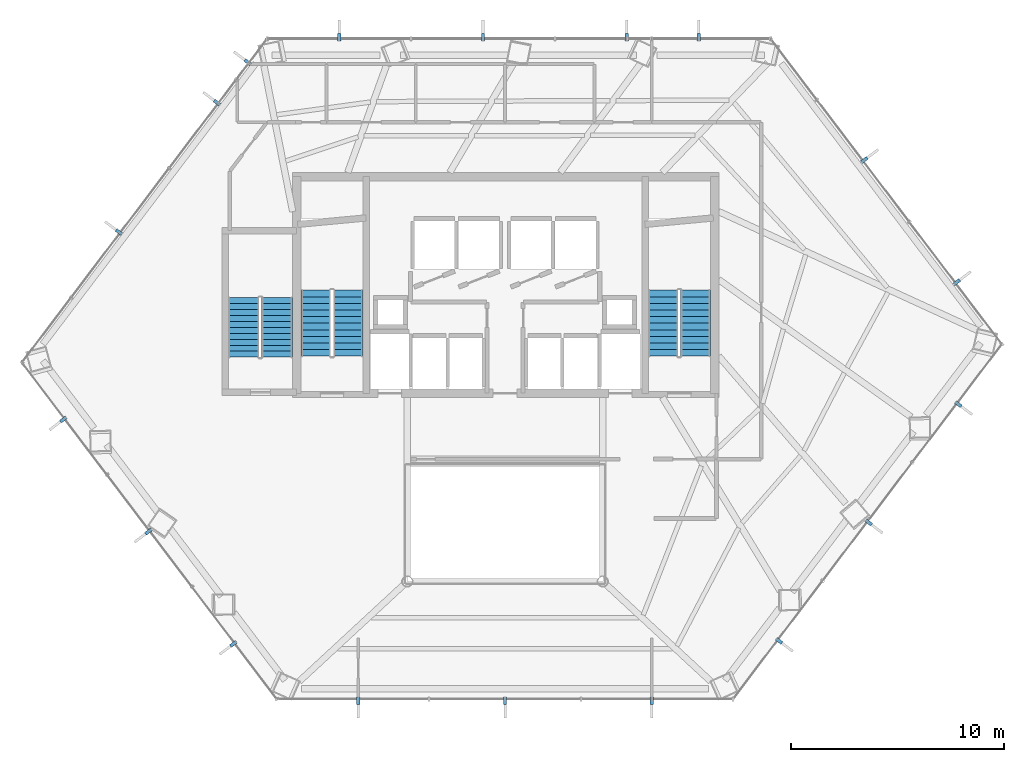
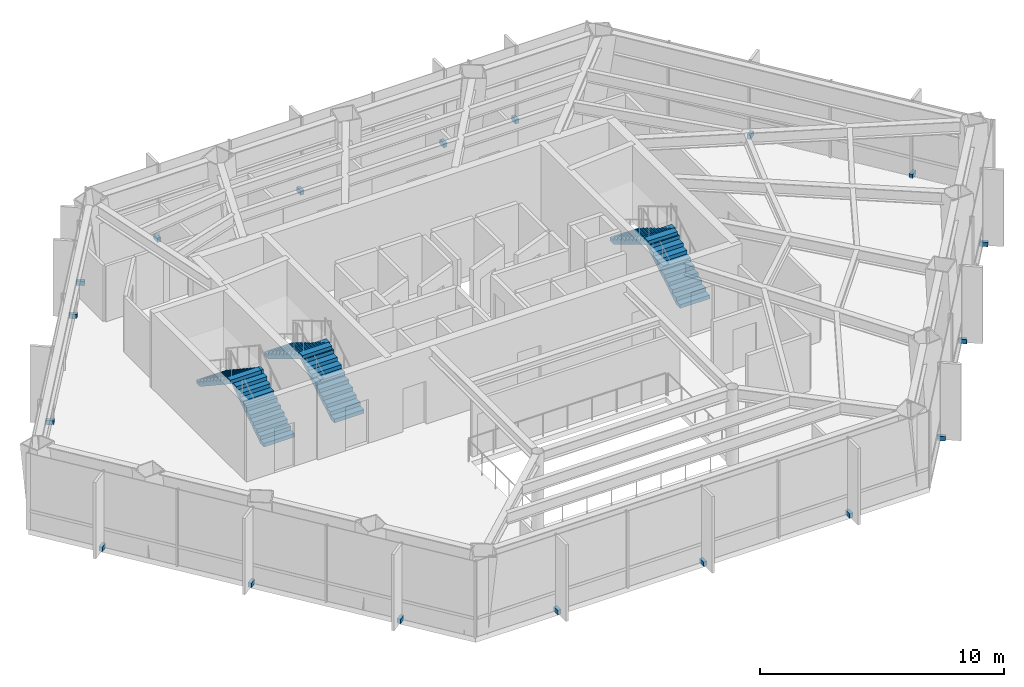
# One storey, part 25 of 26: 18 discrete accessories, 6 stair flights, 3 elements without a shape of their own.
"""IFC4 building model written with IfcOpenShell, lengths in metres."""

from ifc_helpers import new_model, si_unit, direction, frame, origin, origin_2d, place, context, subcontext, project, spatial, polyline, rectangle, outline, extrude, material, type_object, element, aggregate, save


model = new_model("IFC4")

# Units and contexts
model_context = context("Model", 3, precision=1e-05, world=origin(), true_north=direction((0.0, 1.0)))
body_context = subcontext(model_context, "Body", "Model", "MODEL_VIEW")
ifc_project = project(units=[si_unit("LENGTHUNIT", "METRE"), si_unit("AREAUNIT", "SQUARE_METRE"), si_unit("VOLUMEUNIT", "CUBIC_METRE"), si_unit("PLANEANGLEUNIT", "RADIAN"), si_unit("MASSUNIT", "GRAM", prefix="KILO")], contexts=[model_context])

# Site, building, storey
site_placement = place(None, origin())
site = spatial("IfcSite", under=ifc_project, at=site_placement, CompositionType="ELEMENT")
building_placement = place(site_placement, origin())
building = spatial("IfcBuilding", under=site, at=building_placement, Name="Zarrinselat Tower", CompositionType="ELEMENT")
storey_placement = place(building_placement, frame((0.0, 0.0, 60.179931640625)))
storey = spatial("IfcBuildingStorey", under=building, at=storey_placement, Name="L14", CompositionType="ELEMENT", Elevation=60.179931640625)

# Stair, stair flights
ifc_material_1 = material(Name="Concrete C40/50", Category="concrete")
stair_type_1 = type_object("IfcStairType", Name="STR-CORE-145", PredefinedType="HALF_TURN_STAIR", material=ifc_material_1)
stair_1_placement = place(storey_placement, origin())
stair_1 = element("IfcStair", 1, at=stair_1_placement, inside=storey, type_object=stair_type_1, Name="L14 Podium & Mid-Tower Exit Stair 3", PredefinedType="HALF_TURN_STAIR")
ifc_material_2 = material(Name="Concrete C40/50", Category="concrete")
stair_flight_type_1 = type_object("IfcStairFlightType", Name="STR-FLT-145", PredefinedType="STRAIGHT", material=ifc_material_2)
stair_flight_1_placement = place(storey_placement, frame((27.675048828125, 34.949951171875, 0.0), z_axis=(0.0, 0.0, 1.0), x_axis=(0.0, 1.0, 0.0)))
stair_flight_1 = element("IfcStairFlight", 2, at=stair_flight_1_placement, type_object=stair_flight_type_1, Name="ST-3 flight 1", NumberOfRisers=11, NumberOfTreads=10, PredefinedType="STRAIGHT", RiserHeight=0.185454545, TreadLength=0.28, context=body_context, shape_type="SweptSolid", body=[
    extrude(outline(polyline([(0.0, 0.0), (0.0, 0.185546875), (0.280029296875, 0.185546875), (0.280029296875, 0.370849609375), (0.56005859375, 0.370849609375), (0.56005859375, 0.556396484375), (0.840087890625, 0.556396484375), (0.840087890625, 0.74169921875), (1.1201171875, 0.74169921875), (1.1201171875, 0.92724609375), (1.39990234375, 0.92724609375), (1.39990234375, 1.11279296875), (1.679931640625, 1.11279296875), (1.679931640625, 1.298095703125), (1.9599609375, 1.298095703125), (1.9599609375, 1.483642578125), (2.239990234375, 1.483642578125), (2.239990234375, 1.669189453125), (2.52001953125, 1.669189453125), (2.52001953125, 1.8544921875), (2.800048828125, 1.8544921875), (2.800048828125, 2.0400390625), (2.800048828125, 1.6748046875), (0.271484375, 0.0), (0.0, 0.0)])), frame((0.0, 0.72509765625, 0.0), z_axis=(0.0, -1.0, 0.0), x_axis=(1.0, 0.0, 0.0)), (0.0, 0.0, 1.0), 1.449951171875),
])
stair_flight_2_placement = place(storey_placement, frame((26.10498046875, 37.75, 2.0400390625), z_axis=(0.0, 0.0, 1.0), x_axis=(0.0, -1.0, 0.0)))
stair_flight_2 = element("IfcStairFlight", 3, at=stair_flight_2_placement, type_object=stair_flight_type_1, Name="ST-3 flight 2", NumberOfRisers=11, NumberOfTreads=10, PredefinedType="STRAIGHT", RiserHeight=0.185454545, TreadLength=0.28, context=body_context, shape_type="SweptSolid", body=[
    extrude(outline(polyline([(0.0, 0.0), (0.0, 0.185546875), (0.280029296875, 0.185546875), (0.280029296875, 0.370849609375), (0.56005859375, 0.370849609375), (0.56005859375, 0.556396484375), (0.840087890625, 0.556396484375), (0.840087890625, 0.74169921875), (1.1201171875, 0.74169921875), (1.1201171875, 0.92724609375), (1.39990234375, 0.92724609375), (1.39990234375, 1.11279296875), (1.679931640625, 1.11279296875), (1.679931640625, 1.298095703125), (1.9599609375, 1.298095703125), (1.9599609375, 1.483642578125), (2.239990234375, 1.483642578125), (2.239990234375, 1.669189453125), (2.52001953125, 1.669189453125), (2.52001953125, 1.8544921875), (2.800048828125, 1.8544921875), (2.800048828125, 2.0400390625), (2.800048828125, 1.6748046875), (0.271484375, 0.0), (0.0, 0.0)])), frame((0.0, 0.72509765625, 0.0), z_axis=(0.0, -1.0, 0.0), x_axis=(1.0, 0.0, 0.0)), (0.0, 0.0, 1.0), 1.449951171875),
])
aggregate(stair_1, [stair_flight_1, stair_flight_2])

ifc_material_3 = material(Name="Concrete C40/50", Category="concrete")
stair_type_2 = type_object("IfcStairType", Name="STR-CORE-155", PredefinedType="HALF_TURN_STAIR", material=ifc_material_3)
stair_2_placement = place(storey_placement, origin())
stair_2 = element("IfcStair", 4, at=stair_2_placement, inside=storey, type_object=stair_type_2, Name="L14 Core Exit Stair 1", PredefinedType="HALF_TURN_STAIR")
ifc_material_4 = material(Name="Concrete C40/50", Category="concrete")
stair_flight_type_2 = type_object("IfcStairFlightType", Name="STR-FLT-155", PredefinedType="STRAIGHT", material=ifc_material_4)
stair_flight_3_placement = place(storey_placement, frame((31.02001953125, 35.0, 0.0), z_axis=(0.0, 0.0, 1.0), x_axis=(0.0, 1.0, 0.0)))
stair_flight_3 = element("IfcStairFlight", 5, at=stair_flight_3_placement, type_object=stair_flight_type_2, Name="ST-1 flight 1", NumberOfRisers=11, NumberOfTreads=10, PredefinedType="STRAIGHT", RiserHeight=0.185454545, TreadLength=0.31, context=body_context, shape_type="SweptSolid", body=[
    extrude(outline(polyline([(0.0, 0.0), (0.0, 0.185546875), (0.31005859375, 0.185546875), (0.31005859375, 0.370849609375), (0.6201171875, 0.370849609375), (0.6201171875, 0.556396484375), (0.929931640625, 0.556396484375), (0.929931640625, 0.74169921875), (1.239990234375, 0.74169921875), (1.239990234375, 0.92724609375), (1.550048828125, 0.92724609375), (1.550048828125, 1.11279296875), (1.860107421875, 1.11279296875), (1.860107421875, 1.298095703125), (2.169921875, 1.298095703125), (2.169921875, 1.483642578125), (2.47998046875, 1.483642578125), (2.47998046875, 1.669189453125), (2.7900390625, 1.669189453125), (2.7900390625, 1.8544921875), (3.10009765625, 1.8544921875), (3.10009765625, 2.0400390625), (3.10009765625, 1.679931640625), (0.2919921875, 0.0), (0.0, 0.0)])), frame((0.0, 0.699951171875, 0.0), z_axis=(0.0, -1.0, 0.0), x_axis=(1.0, 0.0, 0.0)), (0.0, 0.0, 1.0), 1.39990234375),
])
stair_flight_4_placement = place(storey_placement, frame((29.5, 38.10009765625, 2.0400390625), z_axis=(0.0, 0.0, 1.0), x_axis=(0.0, -1.0, 0.0)))
stair_flight_4 = element("IfcStairFlight", 6, at=stair_flight_4_placement, type_object=stair_flight_type_2, Name="ST-1 flight 2", NumberOfRisers=11, NumberOfTreads=10, PredefinedType="STRAIGHT", RiserHeight=0.185454545, TreadLength=0.31, context=body_context, shape_type="SweptSolid", body=[
    extrude(outline(polyline([(0.0, 0.0), (0.0, 0.185546875), (0.31005859375, 0.185546875), (0.31005859375, 0.370849609375), (0.6201171875, 0.370849609375), (0.6201171875, 0.556396484375), (0.929931640625, 0.556396484375), (0.929931640625, 0.74169921875), (1.239990234375, 0.74169921875), (1.239990234375, 0.92724609375), (1.550048828125, 0.92724609375), (1.550048828125, 1.11279296875), (1.860107421875, 1.11279296875), (1.860107421875, 1.298095703125), (2.169921875, 1.298095703125), (2.169921875, 1.483642578125), (2.47998046875, 1.483642578125), (2.47998046875, 1.669189453125), (2.7900390625, 1.669189453125), (2.7900390625, 1.8544921875), (3.10009765625, 1.8544921875), (3.10009765625, 2.0400390625), (3.10009765625, 1.679931640625), (0.2919921875, 0.0), (0.0, 0.0)])), frame((0.0, 0.699951171875, 0.0), z_axis=(0.0, -1.0, 0.0), x_axis=(1.0, 0.0, 0.0)), (0.0, 0.0, 1.0), 1.39990234375),
])
aggregate(stair_2, [stair_flight_3, stair_flight_4])

stair_3_placement = place(storey_placement, origin())
stair_3 = element("IfcStair", 7, at=stair_3_placement, inside=storey, type_object=stair_type_2, Name="L14 Core Exit Stair 2", PredefinedType="HALF_TURN_STAIR")
stair_flight_5_placement = place(storey_placement, frame((47.360107421875, 35.0, 0.0), z_axis=(0.0, 0.0, 1.0), x_axis=(0.0, 1.0, 0.0)))
stair_flight_5 = element("IfcStairFlight", 8, at=stair_flight_5_placement, type_object=stair_flight_type_2, Name="ST-2 flight 1", NumberOfRisers=11, NumberOfTreads=10, PredefinedType="STRAIGHT", RiserHeight=0.185454545, TreadLength=0.31, context=body_context, shape_type="SweptSolid", body=[
    extrude(outline(polyline([(0.0, 0.0), (0.0, 0.185546875), (0.31005859375, 0.185546875), (0.31005859375, 0.370849609375), (0.6201171875, 0.370849609375), (0.6201171875, 0.556396484375), (0.929931640625, 0.556396484375), (0.929931640625, 0.74169921875), (1.239990234375, 0.74169921875), (1.239990234375, 0.92724609375), (1.550048828125, 0.92724609375), (1.550048828125, 1.11279296875), (1.860107421875, 1.11279296875), (1.860107421875, 1.298095703125), (2.169921875, 1.298095703125), (2.169921875, 1.483642578125), (2.47998046875, 1.483642578125), (2.47998046875, 1.669189453125), (2.7900390625, 1.669189453125), (2.7900390625, 1.8544921875), (3.10009765625, 1.8544921875), (3.10009765625, 2.0400390625), (3.10009765625, 1.679931640625), (0.2919921875, 0.0), (0.0, 0.0)])), frame((0.0, 0.699951171875, 0.0), z_axis=(0.0, -1.0, 0.0), x_axis=(1.0, 0.0, 0.0)), (0.0, 0.0, 1.0), 1.39990234375),
])
stair_flight_6_placement = place(storey_placement, frame((45.840087890625, 38.10009765625, 2.0400390625), z_axis=(0.0, 0.0, 1.0), x_axis=(0.0, -1.0, 0.0)))
stair_flight_6 = element("IfcStairFlight", 9, at=stair_flight_6_placement, type_object=stair_flight_type_2, Name="ST-2 flight 2", NumberOfRisers=11, NumberOfTreads=10, PredefinedType="STRAIGHT", RiserHeight=0.185454545, TreadLength=0.31, context=body_context, shape_type="SweptSolid", body=[
    extrude(outline(polyline([(0.0, 0.0), (0.0, 0.185546875), (0.31005859375, 0.185546875), (0.31005859375, 0.370849609375), (0.6201171875, 0.370849609375), (0.6201171875, 0.556396484375), (0.929931640625, 0.556396484375), (0.929931640625, 0.74169921875), (1.239990234375, 0.74169921875), (1.239990234375, 0.92724609375), (1.550048828125, 0.92724609375), (1.550048828125, 1.11279296875), (1.860107421875, 1.11279296875), (1.860107421875, 1.298095703125), (2.169921875, 1.298095703125), (2.169921875, 1.483642578125), (2.47998046875, 1.483642578125), (2.47998046875, 1.669189453125), (2.7900390625, 1.669189453125), (2.7900390625, 1.8544921875), (3.10009765625, 1.8544921875), (3.10009765625, 2.0400390625), (3.10009765625, 1.679931640625), (0.2919921875, 0.0), (0.0, 0.0)])), frame((0.0, 0.699951171875, 0.0), z_axis=(0.0, -1.0, 0.0), x_axis=(1.0, 0.0, 0.0)), (0.0, 0.0, 1.0), 1.39990234375),
])
aggregate(stair_3, [stair_flight_5, stair_flight_6])

# Discrete accessories
ifc_material_5 = material(Name="Steel S355J2", Category="steel")
discrete_accessory_type = type_object("IfcDiscreteAccessoryType", Name="ACC-FIN-BRACKET", PredefinedType="BRACKET", material=ifc_material_5)
for number, where, z_axis, x_axis, name in (
    (10, (47.513427734375, 49.997802734375, -0.0498046875), (0.0, 0.0, 1.0), (0.0, 1.0, 0.0), "L14 Fin Fixing Bracket CW-L14-E01-01"),
    (11, (44.1298828125, 49.997802734375, -0.0498046875), (0.0, 0.0, 1.0), (0.0, 1.0, 0.0), "L14 Fin Fixing Bracket CW-L14-E01-03"),
    (12, (37.362548828125, 49.997802734375, -0.0498046875), (0.0, 0.0, 1.0), (0.0, 1.0, 0.0), "L14 Fin Fixing Bracket CW-L14-E01-05"),
    (13, (30.59521484375, 49.997802734375, -0.0498046875), (0.0, 0.0, 1.0), (0.0, 1.0, 0.0), "L14 Fin Fixing Bracket CW-L14-E01-07"),
    (14, (26.291015625, 48.82861328125, -0.0498046875), (0.0, 0.0, 1.0), (-0.797090773679, 0.603859502298, 0.0), "L14 Fin Fixing Bracket CW-L14-E02-01"),
    (15, (24.848876953125, 46.925048828125, -0.0498046875), (0.0, 0.0, 1.0), (-0.797090773679, 0.603859502298, 0.0), "L14 Fin Fixing Bracket CW-L14-E02-03"),
    (16, (20.23486328125, 40.834716796875, -0.0498046875), (0.0, 0.0, 1.0), (-0.797090773679, 0.603859502298, 0.0), "L14 Fin Fixing Bracket CW-L14-E02-05"),
    (17, (17.62109375, 32.019775390625, -0.0498046875), (0.0, 0.0, 1.0), (-0.797089212337, -0.603861563254, 0.0), "L14 Fin Fixing Bracket CW-L14-E03-01"),
    (18, (21.621337890625, 26.739501953125, -0.0498046875), (0.0, 0.0, 1.0), (-0.797089212337, -0.603861563254, 0.0), "L14 Fin Fixing Bracket CW-L14-E03-03"),
    (19, (25.62158203125, 21.45947265625, -0.0498046875), (0.0, 0.0, 1.0), (-0.797089212337, -0.603861563254, 0.0), "L14 Fin Fixing Bracket CW-L14-E03-05"),
    (20, (31.5, 18.791748046875, -0.0498046875), (0.0, 0.0, 1.0), (0.0, -1.0, 0.0), "L14 Fin Fixing Bracket CW-L14-E04-01"),
    (21, (38.39990234375, 18.791748046875, -0.0498046875), (0.0, 0.0, 1.0), (0.0, -1.0, 0.0), "L14 Fin Fixing Bracket CW-L14-E04-03"),
    (22, (45.300048828125, 18.791748046875, -0.0498046875), (0.0, 0.0, 1.0), (0.0, -1.0, 0.0), "L14 Fin Fixing Bracket CW-L14-E04-05"),
    (23, (51.28759765625, 21.603515625, -0.0498046875), (0.0, 0.0, 1.0), (0.797089781737, -0.603860811653, 0.0), "L14 Fin Fixing Bracket CW-L14-E05-01"),
    (24, (55.505859375, 27.17138671875, -0.0498046875), (0.0, 0.0, 1.0), (0.797089781737, -0.603860811653, 0.0), "L14 Fin Fixing Bracket CW-L14-E05-03"),
    (25, (59.72412109375, 32.739501953125, -0.0498046875), (0.0, 0.0, 1.0), (0.797089781737, -0.603860811653, 0.0), "L14 Fin Fixing Bracket CW-L14-E05-05"),
    (26, (59.6572265625, 38.480712890625, -0.0498046875), (0.0, 0.0, 1.0), (0.797092876715, 0.603856726294, 0.0), "L14 Fin Fixing Bracket CW-L14-E06-01"),
    (27, (55.30517578125, 44.225341796875, -0.0498046875), (0.0, 0.0, 1.0), (0.797092876715, 0.603856726294, 0.0), "L14 Fin Fixing Bracket CW-L14-E06-03"),
):
    element("IfcDiscreteAccessory", number, at=place(storey_placement, frame(where, z_axis=z_axis, x_axis=x_axis)), inside=storey, type_object=discrete_accessory_type, Name=name, PredefinedType="BRACKET", context=body_context, shape_type="SweptSolid", body=[
        extrude(rectangle(XDim=0.340087890625, YDim=0.159912109375, at=origin_2d()), origin(), (0.0, 0.0, 1.0), 0.219970703125),
    ])

save(model, "model.ifc")
